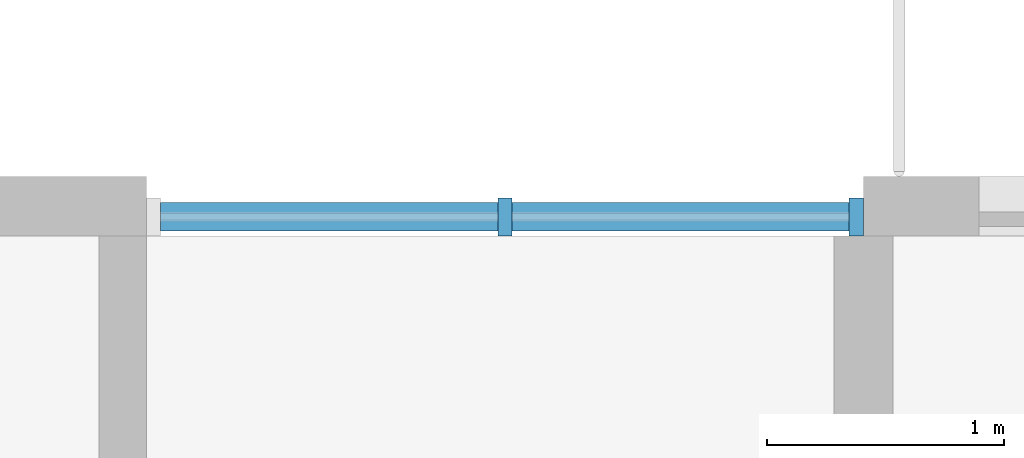
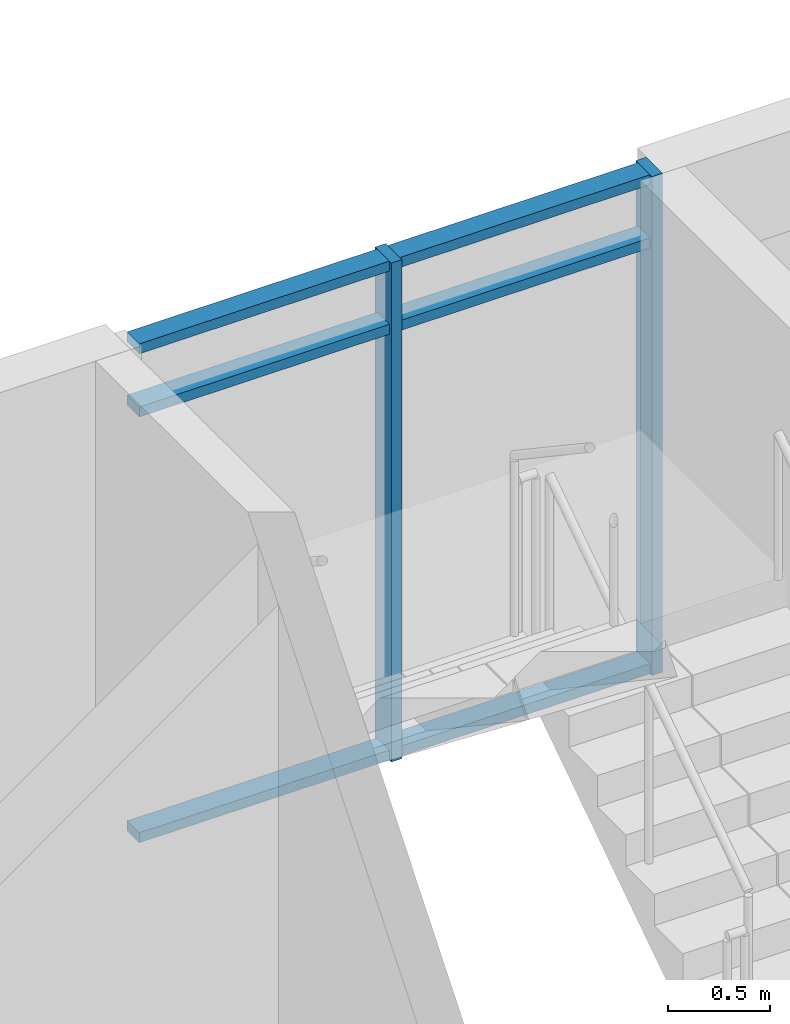
# One storey, part 23 of 100: 8 members, 1 element without a shape of its own.
"""IFC4 building model written with IfcOpenShell, lengths in metres."""

from ifc_helpers import new_model, si_unit, direction, frame, origin, origin_2d, place, context, subcontext, project, spatial, rectangle, extrude, material, material_profile, profile_set, type_object, element, aggregate, save


model = new_model("IFC4")

# Units and contexts
model_context = context("Model", 3, precision=1e-05, world=origin(), true_north=direction((0.0, 1.0)))
body_context = subcontext(model_context, "Body", "Model", "MODEL_VIEW")
ifc_project = project(units=[si_unit("LENGTHUNIT", "METRE"), si_unit("AREAUNIT", "SQUARE_METRE"), si_unit("VOLUMEUNIT", "CUBIC_METRE"), si_unit("PLANEANGLEUNIT", "RADIAN"), si_unit("MASSUNIT", "GRAM", prefix="KILO")], contexts=[model_context])

# Site, building, storey
site_placement = place(None, origin())
site = spatial("IfcSite", under=ifc_project, at=site_placement, CompositionType="ELEMENT")
building_placement = place(site_placement, origin())
building = spatial("IfcBuilding", under=site, at=building_placement, Name="Ridgestep Commons", CompositionType="ELEMENT")
storey_placement = place(building_placement, frame((0.0, 0.0, 9.0)))
storey = spatial("IfcBuildingStorey", under=building, at=storey_placement, Name="L03", CompositionType="ELEMENT", Elevation=9.0)

# Curtain wall, members
ifc_material_1 = material(Name="Aluminium 6063-T6 and glass", Category="aluminium")
curtain_wall_type = type_object("IfcCurtainWallType", Name="Curtain wall stair strip", PredefinedType="NOTDEFINED", material=ifc_material_1)
curtain_wall_placement = place(storey_placement, origin())
curtain_wall = element("IfcCurtainWall", 1, at=curtain_wall_placement, inside=storey, type_object=curtain_wall_type, Name="Curtain wall C6C level 03", PredefinedType="NOTDEFINED")
ifc_material_2 = material(Name="Aluminium 6063-T6", Category="aluminium")
ifc_material_profile_1 = material_profile(ifc_material_2, rectangle(XDim=0.159912109375, YDim=0.06005859375, at=origin_2d()), Name="Mullion 60 x 160")
ifc_profile_set_1 = profile_set([ifc_material_profile_1], Name="Aluminium 6063-T6")
member_type_1 = type_object("IfcMemberType", Name="Mullion 60 x 160", PredefinedType="MULLION", material=ifc_profile_set_1)
member_1_placement = place(storey_placement, frame((235.28759765625, 77.080078125, 0.0), z_axis=(0.0, 0.0, 1.0), x_axis=(0.0, 1.0, 0.0)))
member_1 = element("IfcMember", 2, at=member_1_placement, type_object=member_type_1, Name="CW1 mullion 2", PredefinedType="MULLION", context=body_context, shape_type="SweptSolid", body=[
    extrude(rectangle(XDim=0.159912109375, YDim=0.06005859375, at=origin_2d()), origin(), (0.0, 0.0, 1.0), 3.0),
])
member_2_placement = place(storey_placement, frame((236.77001953125, 77.080078125, 0.0), z_axis=(0.0, 0.0, 1.0), x_axis=(0.0, 1.0, 0.0)))
member_2 = element("IfcMember", 3, at=member_2_placement, type_object=member_type_1, Name="CW1 mullion 3", PredefinedType="MULLION", context=body_context, shape_type="SweptSolid", body=[
    extrude(rectangle(XDim=0.159912109375, YDim=0.06005859375, at=origin_2d()), origin(), (0.0, 0.0, 1.0), 3.0),
])
ifc_material_3 = material(Name="Aluminium 6063-T6", Category="aluminium")
ifc_material_profile_2 = material_profile(ifc_material_3, rectangle(XDim=0.1201171875, YDim=0.06005859375, at=origin_2d()), Name="Transom 60 x 120")
ifc_profile_set_2 = profile_set([ifc_material_profile_2], Name="Aluminium 6063-T6")
member_type_2 = type_object("IfcMemberType", Name="Transom 60 x 120", PredefinedType="USERDEFINED", material=ifc_profile_set_2)
member_3_placement = place(storey_placement, frame((233.8349609375, 77.080078125, 0.030029296875), z_axis=(1.0, 0.0, 0.0), x_axis=(0.0, 1.0, 0.0)))
member_3 = element("IfcMember", 4, at=member_3_placement, type_object=member_type_2, Name="CW1 transom 1.1", ObjectType="TRANSOM", PredefinedType="USERDEFINED", context=body_context, shape_type="SweptSolid", body=[
    extrude(rectangle(XDim=0.1201171875, YDim=0.06005859375, at=origin_2d()), origin(), (0.0, 0.0, 1.0), 1.422607421875),
])
member_4_placement = place(storey_placement, frame((233.8349609375, 77.080078125, 2.590087890625), z_axis=(1.0, 0.0, 0.0), x_axis=(0.0, 1.0, 0.0)))
member_4 = element("IfcMember", 5, at=member_4_placement, type_object=member_type_2, Name="CW1 transom 1.2", ObjectType="TRANSOM", PredefinedType="USERDEFINED", context=body_context, shape_type="SweptSolid", body=[
    extrude(rectangle(XDim=0.1201171875, YDim=0.06005859375, at=origin_2d()), origin(), (0.0, 0.0, 1.0), 1.422607421875),
])
member_5_placement = place(storey_placement, frame((233.8349609375, 77.080078125, 2.969970703125), z_axis=(1.0, 0.0, 0.0), x_axis=(0.0, 1.0, 0.0)))
member_5 = element("IfcMember", 6, at=member_5_placement, type_object=member_type_2, Name="CW1 transom 1.3", ObjectType="TRANSOM", PredefinedType="USERDEFINED", context=body_context, shape_type="SweptSolid", body=[
    extrude(rectangle(XDim=0.1201171875, YDim=0.06005859375, at=origin_2d()), origin(), (0.0, 0.0, 1.0), 1.422607421875),
])
member_6_placement = place(storey_placement, frame((235.3173828125, 77.080078125, 0.030029296875), z_axis=(1.0, 0.0, 0.0), x_axis=(0.0, 1.0, 0.0)))
member_6 = element("IfcMember", 7, at=member_6_placement, type_object=member_type_2, Name="CW1 transom 2.1", ObjectType="TRANSOM", PredefinedType="USERDEFINED", context=body_context, shape_type="SweptSolid", body=[
    extrude(rectangle(XDim=0.1201171875, YDim=0.06005859375, at=origin_2d()), origin(), (0.0, 0.0, 1.0), 1.422607421875),
])
member_7_placement = place(storey_placement, frame((235.3173828125, 77.080078125, 2.590087890625), z_axis=(1.0, 0.0, 0.0), x_axis=(0.0, 1.0, 0.0)))
member_7 = element("IfcMember", 8, at=member_7_placement, type_object=member_type_2, Name="CW1 transom 2.2", ObjectType="TRANSOM", PredefinedType="USERDEFINED", context=body_context, shape_type="SweptSolid", body=[
    extrude(rectangle(XDim=0.1201171875, YDim=0.06005859375, at=origin_2d()), origin(), (0.0, 0.0, 1.0), 1.422607421875),
])
member_8_placement = place(storey_placement, frame((235.3173828125, 77.080078125, 2.969970703125), z_axis=(1.0, 0.0, 0.0), x_axis=(0.0, 1.0, 0.0)))
member_8 = element("IfcMember", 9, at=member_8_placement, type_object=member_type_2, Name="CW1 transom 2.3", ObjectType="TRANSOM", PredefinedType="USERDEFINED", context=body_context, shape_type="SweptSolid", body=[
    extrude(rectangle(XDim=0.1201171875, YDim=0.06005859375, at=origin_2d()), origin(), (0.0, 0.0, 1.0), 1.422607421875),
])
aggregate(curtain_wall, [member_1, member_2, member_3, member_4, member_5, member_6, member_7, member_8])

save(model, "model.ifc")
